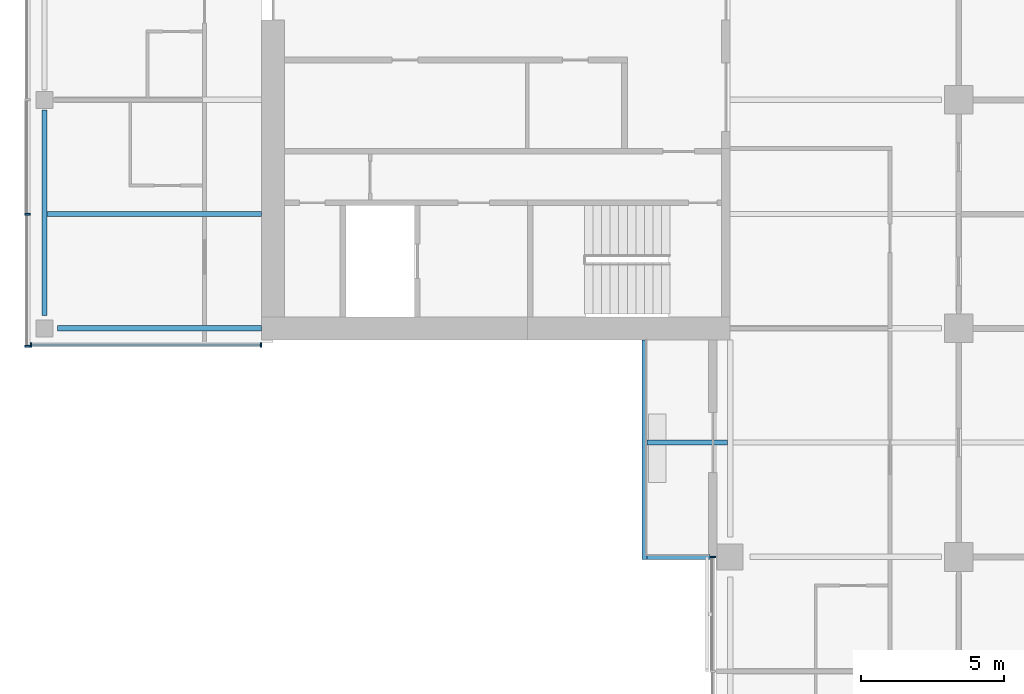
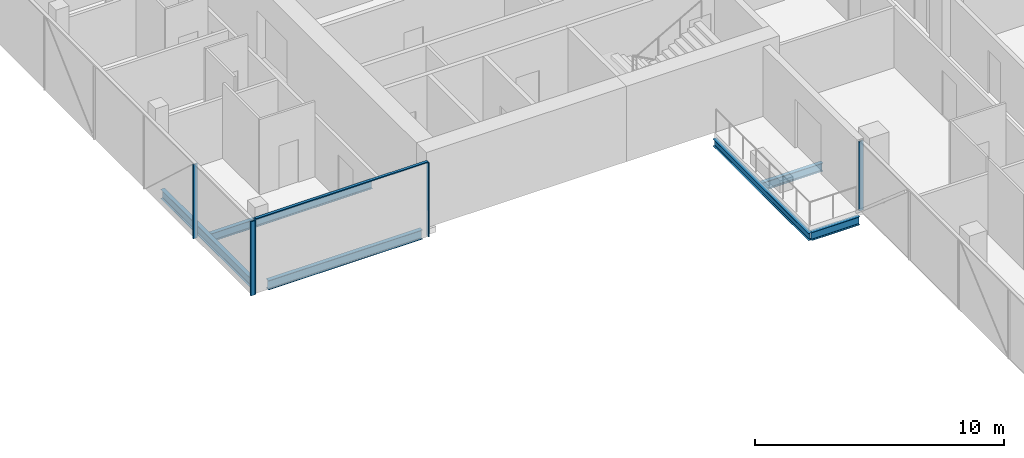
# One storey, part 3 of 25: 6 beams, 6 members, 3 elements without a shape of their own.
"""IFC4 building model written with IfcOpenShell, lengths in metres."""

from ifc_helpers import new_model, si_unit, direction, frame, origin, origin_2d, place, context, subcontext, project, spatial, rectangle, i_section, extrude, material, material_profile, profile_set, type_object, element, aggregate, save


model = new_model("IFC4")

# Units and contexts
model_context = context("Model", 3, precision=1e-05, world=origin(), true_north=direction((0.0, 1.0)))
body_context = subcontext(model_context, "Body", "Model", "MODEL_VIEW")
ifc_project = project(units=[si_unit("LENGTHUNIT", "METRE"), si_unit("AREAUNIT", "SQUARE_METRE"), si_unit("VOLUMEUNIT", "CUBIC_METRE"), si_unit("PLANEANGLEUNIT", "RADIAN"), si_unit("MASSUNIT", "GRAM", prefix="KILO")], contexts=[model_context])

# Site, building, storey
site_placement = place(None, origin())
site = spatial("IfcSite", under=ifc_project, at=site_placement, CompositionType="ELEMENT")
building_placement = place(site_placement, origin())
building = spatial("IfcBuilding", under=site, at=building_placement, Name="Crosswind Convention Tower", CompositionType="ELEMENT")
storey_placement = place(building_placement, frame((0.0, 0.0, 97.89990234375)))
storey = spatial("IfcBuildingStorey", under=building, at=storey_placement, Name="L19", CompositionType="ELEMENT", Elevation=97.89990234375)

# Beams
ifc_material_1 = material(Name="Steel S355", Category="steel")
ifc_material_profile_1 = material_profile(ifc_material_1, i_section(OverallWidth=0.177734375, OverallDepth=0.406494140625, WebThickness=0.0078125, FlangeThickness=0.0126953125, FilletRadius=0.01025390625, at=origin_2d()), Name="UB 406x178x60")
ifc_profile_set_1 = profile_set([ifc_material_profile_1], Name="Steel S355")
beam_type_1 = type_object("IfcBeamType", Name="Balcony cantilever UB 406x178x60", PredefinedType="BEAM", material=ifc_profile_set_1)
beam_1_placement = place(storey_placement, frame((112.90478515625, 84.0, -0.483154296875), z_axis=(-1.0, 0.0, 0.0), x_axis=(0.0, -1.0, 0.0)))
element("IfcBeam", 1, at=beam_1_placement, inside=storey, type_object=beam_type_1, Name="B35 L19 balcony cantilever SW 7", PredefinedType="BEAM", context=body_context, shape_type="SweptSolid", body=[
    extrude(i_section(OverallWidth=0.177734375, OverallDepth=0.406494140625, WebThickness=0.0078125, FlangeThickness=0.0126953125, FilletRadius=0.01025390625, at=origin_2d()), origin(), (0.0, 0.0, 1.0), 2.8193359375),
])
beam_2_placement = place(storey_placement, frame((112.300048828125, 80.0, -0.483154296875), z_axis=(-1.0, 0.0, 0.0), x_axis=(0.0, -1.0, 0.0)))
element("IfcBeam", 2, at=beam_2_placement, inside=storey, type_object=beam_type_1, Name="B35 L19 balcony cantilever SW 8", PredefinedType="BEAM", context=body_context, shape_type="SweptSolid", body=[
    extrude(i_section(OverallWidth=0.177734375, OverallDepth=0.406494140625, WebThickness=0.0078125, FlangeThickness=0.0126953125, FilletRadius=0.01025390625, at=origin_2d()), origin(), (0.0, 0.0, 1.0), 2.214599609375),
])
ifc_material_profile_2 = material_profile(ifc_material_1, i_section(OverallWidth=0.1708984375, OverallDepth=0.35205078125, WebThickness=0.0068359375, FlangeThickness=0.009765625, FilletRadius=0.01025390625, at=origin_2d()), Name="UB 356x171x45")
ifc_profile_set_2 = profile_set([ifc_material_profile_2], Name="Steel S355")
beam_type_2 = type_object("IfcBeamType", Name="Balcony edge beam UB 356x171x45", PredefinedType="BEAM", material=ifc_profile_set_2)
beam_3_placement = place(storey_placement, frame((110.0, 87.60009765625, -0.455810546875), z_axis=(0.0, -1.0, 0.0), x_axis=(1.0, 0.0, 0.0)))
element("IfcBeam", 3, at=beam_3_placement, inside=storey, type_object=beam_type_2, Name="B37 L19 balcony edge beam SW 9", PredefinedType="BEAM", context=body_context, shape_type="SweptSolid", body=[
    extrude(i_section(OverallWidth=0.1708984375, OverallDepth=0.35205078125, WebThickness=0.0068359375, FlangeThickness=0.009765625, FilletRadius=0.01025390625, at=origin_2d()), origin(), (0.0, 0.0, 1.0), 7.68896484375),
])
ifc_material_profile_3 = material_profile(ifc_material_1, i_section(OverallWidth=0.1904296875, OverallDepth=0.457275390625, WebThickness=0.009033203125, FlangeThickness=0.014404296875, FilletRadius=0.01025390625, at=origin_2d()), Name="UB 457x191x75")
ifc_profile_set_3 = profile_set([ifc_material_profile_3], Name="Steel S355")
beam_type_3 = type_object("IfcBeamType", Name="Edge beam UB 457x191x75", PredefinedType="SPANDREL", material=ifc_profile_set_3)
beam_4_placement = place(storey_placement, frame((89.0, 88.449951171875, -0.508544921875), z_axis=(0.0, 1.0, 0.0), x_axis=(-1.0, 0.0, 0.0)))
element("IfcBeam", 4, at=beam_4_placement, inside=storey, type_object=beam_type_3, Name="B17 L19 edge beam 1", PredefinedType="SPANDREL", context=body_context, shape_type="SweptSolid", body=[
    extrude(i_section(OverallWidth=0.1904296875, OverallDepth=0.457275390625, WebThickness=0.009033203125, FlangeThickness=0.014404296875, FilletRadius=0.01025390625, at=origin_2d()), origin(), (0.0, 0.0, 1.0), 7.199951171875),
])
beam_5_placement = place(storey_placement, frame((89.449951171875, 88.0, -0.508544921875), z_axis=(1.0, 0.0, 0.0), x_axis=(0.0, 1.0, 0.0)))
element("IfcBeam", 5, at=beam_5_placement, inside=storey, type_object=beam_type_3, Name="B17 L19 edge beam 4", PredefinedType="SPANDREL", context=body_context, shape_type="SweptSolid", body=[
    extrude(i_section(OverallWidth=0.1904296875, OverallDepth=0.457275390625, WebThickness=0.009033203125, FlangeThickness=0.014404296875, FilletRadius=0.01025390625, at=origin_2d()), origin(), (0.0, 0.0, 1.0), 7.150146484375),
])

# Curtain wall, members
ifc_material_2 = material(Name="Aluminium unitised curtain wall", Category="aluminium")
curtain_wall_type_1 = type_object("IfcCurtainWallType", Name="CORE END SLOT WALL 160", PredefinedType="USERDEFINED", material=ifc_material_2)
curtain_wall_1_placement = place(storey_placement, origin())
curtain_wall_1 = element("IfcCurtainWall", 6, at=curtain_wall_1_placement, inside=storey, type_object=curtain_wall_type_1, Name="CW6 L19 W-S.1-1 slot", ObjectType="UNITISED", PredefinedType="USERDEFINED")
ifc_material_3 = material(Name="Aluminium mullion", Category="aluminium")
ifc_material_profile_4 = material_profile(ifc_material_3, rectangle(XDim=0.159912109375, YDim=0.050048828125, at=origin_2d()), Name="AL 160X50")
ifc_profile_set_4 = profile_set([ifc_material_profile_4], Name="Aluminium mullion")
member_type_1 = type_object("IfcMemberType", Name="MULLION 50X160", PredefinedType="MULLION", material=ifc_profile_set_4)
member_1_placement = place(storey_placement, frame((88.52490234375, 87.419921875, -0.27978515625), z_axis=(0.0, 0.0, 1.0), x_axis=(0.0, -1.0, 0.0)))
member_1 = element("IfcMember", 7, at=member_1_placement, type_object=member_type_1, Name="CW6 mullion 1", PredefinedType="MULLION", context=body_context, shape_type="SweptSolid", body=[
    extrude(rectangle(XDim=0.159912109375, YDim=0.050048828125, at=origin_2d()), origin(), (0.0, 0.0, 1.0), 3.64990234375),
])
member_2_placement = place(storey_placement, frame((96.574951171875, 87.419921875, -0.27978515625), z_axis=(0.0, 0.0, 1.0), x_axis=(0.0, -1.0, 0.0)))
member_2 = element("IfcMember", 8, at=member_2_placement, type_object=member_type_1, Name="CW6 mullion 2", PredefinedType="MULLION", context=body_context, shape_type="SweptSolid", body=[
    extrude(rectangle(XDim=0.159912109375, YDim=0.050048828125, at=origin_2d()), origin(), (0.0, 0.0, 1.0), 3.64990234375),
])

curtain_wall_type_2 = type_object("IfcCurtainWallType", Name="HOTEL UNITISED WALL 200", PredefinedType="USERDEFINED", material=ifc_material_2)
curtain_wall_2_placement = place(storey_placement, origin())
curtain_wall_2 = element("IfcCurtainWall", 9, at=curtain_wall_2_placement, inside=storey, type_object=curtain_wall_type_2, Name="CW2 L19 W-TIP 1", ObjectType="UNITISED", PredefinedType="USERDEFINED")
ifc_material_profile_5 = material_profile(ifc_material_3, rectangle(XDim=0.199951171875, YDim=0.06494140625, at=origin_2d()), Name="AL 200X65")
ifc_profile_set_5 = profile_set([ifc_material_profile_5], Name="Aluminium mullion")
member_type_2 = type_object("IfcMemberType", Name="MULLION 65X200", PredefinedType="MULLION", material=ifc_profile_set_5)
member_3_placement = place(storey_placement, frame((88.39990234375, 92.0, -0.27978515625), z_axis=(0.0, 0.0, 1.0), x_axis=(-1.0, 0.0, 0.0)))
member_3 = element("IfcMember", 10, at=member_3_placement, type_object=member_type_2, Name="CW2 mullion 6", PredefinedType="MULLION", context=body_context, shape_type="SweptSolid", body=[
    extrude(rectangle(XDim=0.199951171875, YDim=0.06494140625, at=origin_2d()), origin(), (0.0, 0.0, 1.0), 3.634765625),
])
member_4_placement = place(storey_placement, frame((88.39990234375, 87.37255859375, -0.27978515625), z_axis=(0.0, 0.0, 1.0), x_axis=(-1.0, 0.0, 0.0)))
member_4 = element("IfcMember", 11, at=member_4_placement, type_object=member_type_2, Name="CW2 mullion 7", PredefinedType="MULLION", context=body_context, shape_type="SweptSolid", body=[
    extrude(rectangle(XDim=0.199951171875, YDim=0.06494140625, at=origin_2d()), origin(), (0.0, 0.0, 1.0), 3.634765625),
])
aggregate(curtain_wall_2, [member_3, member_4])

# Curtain wall, member
curtain_wall_3_placement = place(storey_placement, origin())
curtain_wall_3 = element("IfcCurtainWall", 12, at=curtain_wall_3_placement, inside=storey, type_object=curtain_wall_type_2, Name="CW2 L19 S-W 1", ObjectType="UNITISED", PredefinedType="USERDEFINED")
member_5_placement = place(storey_placement, frame((112.39990234375, 80.0, -0.044921875), z_axis=(0.0, 0.0, 1.0), x_axis=(-1.0, 0.0, 0.0)))
member_5 = element("IfcMember", 13, at=member_5_placement, type_object=member_type_2, Name="CW2 mullion 1", PredefinedType="MULLION", context=body_context, shape_type="SweptSolid", body=[
    extrude(rectangle(XDim=0.199951171875, YDim=0.06494140625, at=origin_2d()), origin(), (0.0, 0.0, 1.0), 3.39990234375),
])
aggregate(curtain_wall_3, [member_5])

# Beam
ifc_material_profile_6 = material_profile(ifc_material_1, i_section(OverallWidth=0.177734375, OverallDepth=0.406494140625, WebThickness=0.0078125, FlangeThickness=0.0126953125, FilletRadius=0.01025390625, at=origin_2d()), Name="UB 406x178x60")
ifc_profile_set_6 = profile_set([ifc_material_profile_6], Name="Steel S355")
beam_type_4 = type_object("IfcBeamType", Name="Secondary beam UB 406x178x60", PredefinedType="JOIST", material=ifc_profile_set_6)
beam_6_placement = place(storey_placement, frame((89.09521484375, 92.0, -0.483154296875), z_axis=(1.0, 0.0, 0.0), x_axis=(0.0, 1.0, 0.0)))
element("IfcBeam", 14, at=beam_6_placement, inside=storey, type_object=beam_type_4, Name="B10 L19 secondary beam 1", PredefinedType="JOIST", context=body_context, shape_type="SweptSolid", body=[
    extrude(i_section(OverallWidth=0.177734375, OverallDepth=0.406494140625, WebThickness=0.0078125, FlangeThickness=0.0126953125, FilletRadius=0.01025390625, at=origin_2d()), origin(), (0.0, 0.0, 1.0), 7.5048828125),
])

# Member
ifc_material_4 = material(Name="Aluminium transom", Category="aluminium")
ifc_material_profile_7 = material_profile(ifc_material_4, rectangle(XDim=0.1201171875, YDim=0.050048828125, at=origin_2d()), Name="AL 120X50")
ifc_profile_set_7 = profile_set([ifc_material_profile_7], Name="Aluminium transom")
member_type_3 = type_object("IfcMemberType", Name="TRANSOM 50X120", PredefinedType="USERDEFINED", material=ifc_profile_set_7)
member_6_placement = place(storey_placement, frame((88.550048828125, 87.419921875, 3.39501953125), z_axis=(1.0, 0.0, 0.0), x_axis=(0.0, 1.0, 0.0)))
member_6 = element("IfcMember", 15, at=member_6_placement, type_object=member_type_3, Name="CW6 transom", ObjectType="TRANSOM", PredefinedType="USERDEFINED", context=body_context, shape_type="SweptSolid", body=[
    extrude(rectangle(XDim=0.1201171875, YDim=0.050048828125, at=origin_2d()), origin(), (0.0, 0.0, 1.0), 8.0),
])

aggregate(curtain_wall_1, [member_1, member_2, member_6])

save(model, "model.ifc")
